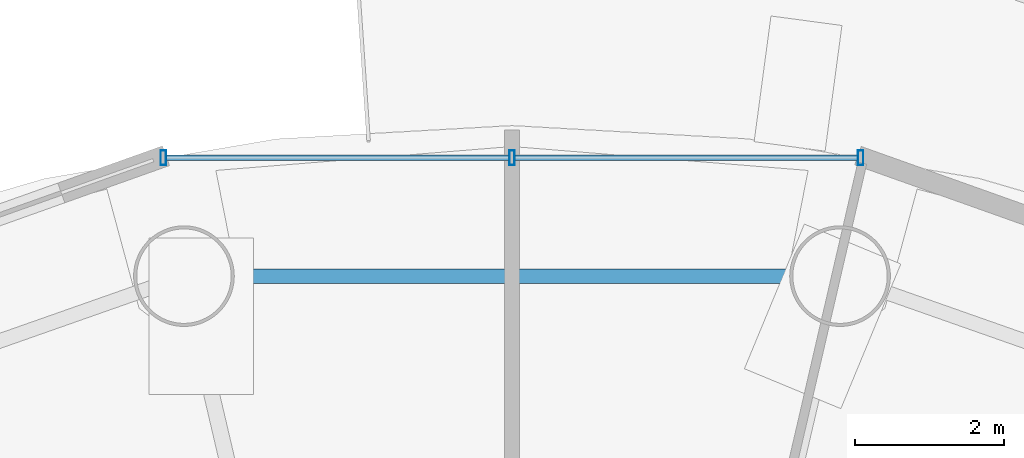
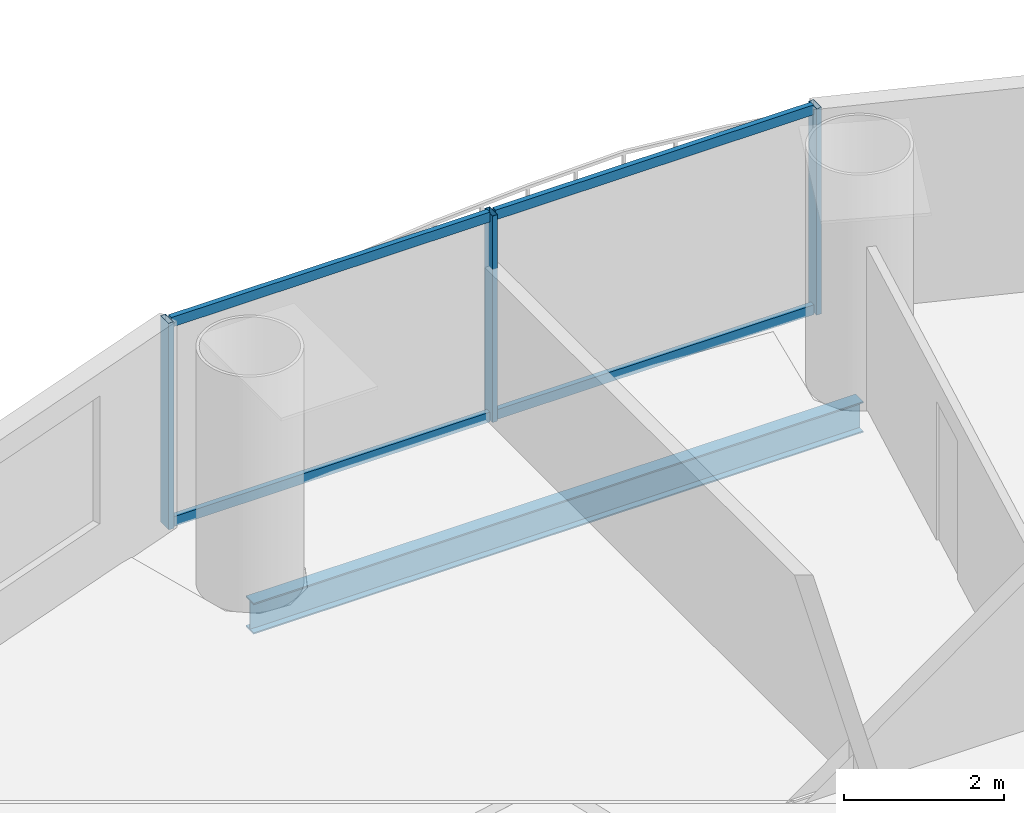
# One storey, part 16 of 26: 7 members, 1 beam, 1 element without a shape of its own.
"""IFC4 building model written with IfcOpenShell, lengths in metres."""

from ifc_helpers import new_model, si_unit, direction, frame, origin, origin_2d, place, context, subcontext, project, spatial, hollow_rectangle, i_section, extrude, source, transform, mapped, material, material_profile, profile_set, type_object, element, aggregate, save


model = new_model("IFC4")

# Units and contexts
model_context = context("Model", 3, precision=1e-05, world=origin(), true_north=direction((-0.2419218956, 0.970295726276)))
body_context = subcontext(model_context, "Body", "Model", "MODEL_VIEW")
ifc_project = project(units=[si_unit("LENGTHUNIT", "METRE"), si_unit("AREAUNIT", "SQUARE_METRE"), si_unit("VOLUMEUNIT", "CUBIC_METRE"), si_unit("PLANEANGLEUNIT", "RADIAN"), si_unit("MASSUNIT", "GRAM", prefix="KILO")], contexts=[model_context])

# Site, building, storey
site_placement = place(None, origin())
site = spatial("IfcSite", under=ifc_project, at=site_placement, CompositionType="ELEMENT")
building_placement = place(site_placement, origin())
building = spatial("IfcBuilding", under=site, at=building_placement, Name="Cobrevalo Terracotta Tower", CompositionType="ELEMENT")
storey_placement = place(building_placement, frame((0.0, 0.0, 182.199951171875)))
storey = spatial("IfcBuildingStorey", under=building, at=storey_placement, Name="L48", CompositionType="ELEMENT", Elevation=182.199951171875)

# Beam
ifc_material_1 = material(Name="Steel S355", Category="steel")
ifc_material_profile_1 = material_profile(ifc_material_1, i_section(OverallWidth=0.194091796875, OverallDepth=0.468994140625, WebThickness=0.011474609375, FlangeThickness=0.0205078125, at=origin_2d()), Name="W 460x106")
ifc_profile_set_1 = profile_set([ifc_material_profile_1], Name="Steel S355")
beam_type = type_object("IfcBeamType", Name="Structural Spandrel W 460x106 (Steel S355)", PredefinedType="SPANDREL", material=ifc_profile_set_1)
beam_placement = place(storey_placement, frame((42.399169921875, 45.58203125, -0.50439453125), z_axis=(-1.0, 0.0, 0.0), x_axis=(0.0, -1.0, 0.0)))
element("IfcBeam", 1, at=beam_placement, inside=storey, type_object=beam_type, Name="L48 perimeter ring spandrel 04", PredefinedType="SPANDREL", context=body_context, shape_type="SweptSolid", body=[
    extrude(i_section(OverallWidth=0.194091796875, OverallDepth=0.468994140625, WebThickness=0.011474609375, FlangeThickness=0.0205078125, at=origin_2d()), origin(), (0.0, 0.0, 1.0), 8.79833984375),
])

# Curtain wall, members
ifc_material_2 = material(Name="Anodized aluminium", Category="aluminium")
curtain_wall_type = type_object("IfcCurtainWallType", Name="Mid-tower high-wind unitised curtain wall CW-U2", PredefinedType="NOTDEFINED", material=ifc_material_2)
curtain_wall_placement = place(storey_placement, origin())
curtain_wall = element("IfcCurtainWall", 2, at=curtain_wall_placement, inside=storey, type_object=curtain_wall_type, Name="L48 curtain wall CW-L48-S04", PredefinedType="NOTDEFINED")
ifc_material_profile_2 = material_profile(ifc_material_2, hollow_rectangle(XDim=0.074951171875, YDim=0.14990234375, WallThickness=0.00439453125, at=origin_2d()), Name="CWT 75x150")
ifc_profile_set_2 = profile_set([ifc_material_profile_2], Name="Anodized aluminium")
member_type_1 = type_object("IfcMemberType", Name="Tower unitised aluminium transom 75x150", PredefinedType="USERDEFINED", material=ifc_profile_set_2)
shared_shape_1 = source(origin(), body_context, "Body", "SweptSolid", [
    extrude(hollow_rectangle(XDim=0.074951171875, YDim=0.14990234375, WallThickness=0.00439453125, at=origin_2d()), origin(), (0.0, 0.0, 1.0), 4.59521484375),
])
member_1_placement = place(storey_placement, frame((42.63525390625, 47.1708984375, 0.050048828125), z_axis=(-1.0, 0.0, 0.0), x_axis=(0.0, -1.0, 0.0)))
member_1 = element("IfcMember", 3, at=member_1_placement, type_object=member_type_1, Name="CW-L48-S04 transom B01-T1", ObjectType="TRANSOM", PredefinedType="USERDEFINED", context=body_context, shape_type="MappedRepresentation", body=[
    mapped(shared_shape_1, transform((0.0, 0.0, 0.0), scale=1.0)),
])
member_2_placement = place(storey_placement, frame((42.63525390625, 47.1708984375, 3.10009765625), z_axis=(-1.0, 0.0, 0.0), x_axis=(0.0, -1.0, 0.0)))
member_2 = element("IfcMember", 4, at=member_2_placement, type_object=member_type_1, Name="CW-L48-S04 transom B01-T2", ObjectType="TRANSOM", PredefinedType="USERDEFINED", context=body_context, shape_type="MappedRepresentation", body=[
    mapped(shared_shape_1, transform((0.0, 0.0, 0.0), scale=1.0)),
])
member_3_placement = place(storey_placement, frame((37.9599609375, 47.1708984375, 0.050048828125), z_axis=(-1.0, 0.0, 0.0), x_axis=(0.0, -1.0, 0.0)))
member_3 = element("IfcMember", 5, at=member_3_placement, type_object=member_type_1, Name="CW-L48-S04 transom B02-T1", ObjectType="TRANSOM", PredefinedType="USERDEFINED", context=body_context, shape_type="MappedRepresentation", body=[
    mapped(shared_shape_1, transform((0.0, 0.0, 0.0), scale=1.0)),
])
member_4_placement = place(storey_placement, frame((37.9599609375, 47.1708984375, 3.10009765625), z_axis=(-1.0, 0.0, 0.0), x_axis=(0.0, -1.0, 0.0)))
member_4 = element("IfcMember", 6, at=member_4_placement, type_object=member_type_1, Name="CW-L48-S04 transom B02-T2", ObjectType="TRANSOM", PredefinedType="USERDEFINED", context=body_context, shape_type="MappedRepresentation", body=[
    mapped(shared_shape_1, transform((0.0, 0.0, 0.0), scale=1.0)),
])
ifc_material_profile_3 = material_profile(ifc_material_2, hollow_rectangle(XDim=0.074951171875, YDim=0.199951171875, WallThickness=0.0048828125, at=origin_2d()), Name="CWM 75x200")
ifc_profile_set_3 = profile_set([ifc_material_profile_3], Name="Anodized aluminium")
member_type_2 = type_object("IfcMemberType", Name="Lower/mid tower unitised mullion 75x200", PredefinedType="MULLION", material=ifc_profile_set_3)
shared_shape_2 = source(origin(), body_context, "Body", "SweptSolid", [
    extrude(hollow_rectangle(XDim=0.074951171875, YDim=0.199951171875, WallThickness=0.0048828125, at=origin_2d()), origin(), (0.0, 0.0, 1.0), 3.150146484375),
])
member_5_placement = place(storey_placement, frame((42.67529296875, 47.1708984375, 0.0), z_axis=(0.0, 0.0, 1.0), x_axis=(-1.0, 0.0, 0.0)))
member_5 = element("IfcMember", 7, at=member_5_placement, type_object=member_type_2, Name="CW-L48-S04 vertical mullion 01", PredefinedType="MULLION", context=body_context, shape_type="MappedRepresentation", body=[
    mapped(shared_shape_2, transform((0.0, 0.0, 0.0), scale=1.0)),
])
member_6_placement = place(storey_placement, frame((38.0, 47.1708984375, 0.0), z_axis=(0.0, 0.0, 1.0), x_axis=(-1.0, 0.0, 0.0)))
member_6 = element("IfcMember", 8, at=member_6_placement, type_object=member_type_2, Name="CW-L48-S04 vertical mullion 02", PredefinedType="MULLION", context=body_context, shape_type="MappedRepresentation", body=[
    mapped(shared_shape_2, transform((0.0, 0.0, 0.0), scale=1.0)),
])
member_7_placement = place(storey_placement, frame((33.32470703125, 47.1708984375, 0.0), z_axis=(0.0, 0.0, 1.0), x_axis=(-1.0, 0.0, 0.0)))
member_7 = element("IfcMember", 9, at=member_7_placement, type_object=member_type_2, Name="CW-L48-S04 vertical mullion 03", PredefinedType="MULLION", context=body_context, shape_type="MappedRepresentation", body=[
    mapped(shared_shape_2, transform((0.0, 0.0, 0.0), scale=1.0)),
])
aggregate(curtain_wall, [member_5, member_6, member_7, member_1, member_2, member_3, member_4])

save(model, "model.ifc")
